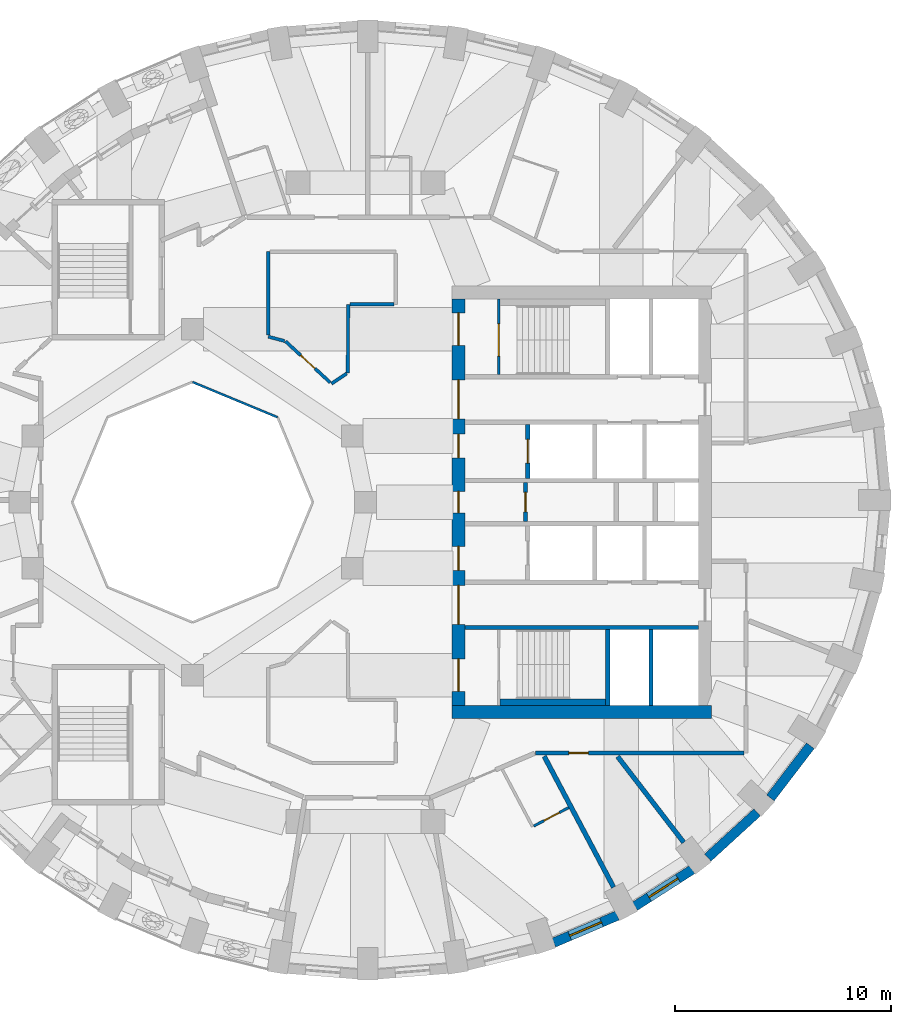
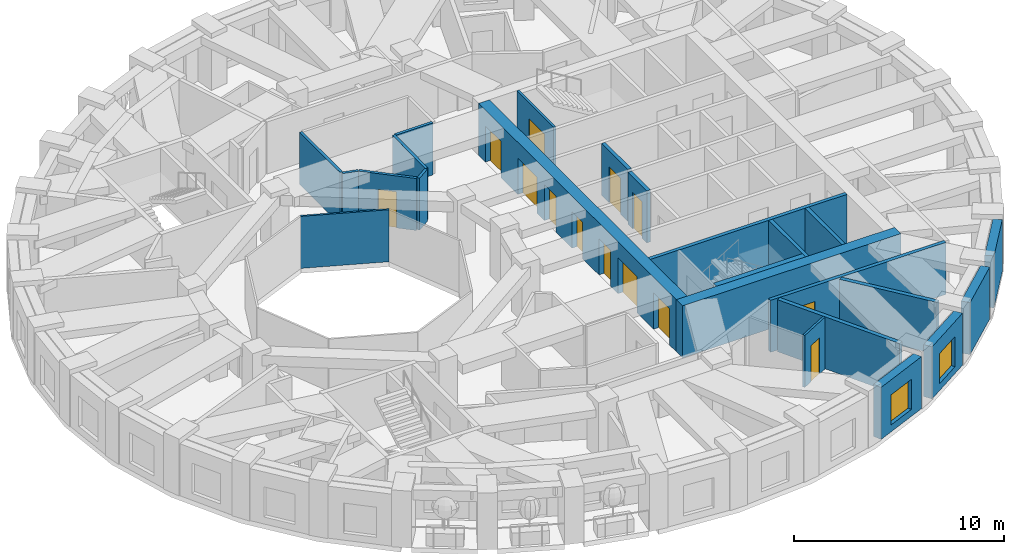
# One storey, part 5 of 12: 24 walls, 13 doors, 2 windows, 15 openings.
"""IFC4 building model written with IfcOpenShell, lengths in metres."""

from ifc_helpers import new_model, si_unit, direction, frame, frame_2d, origin, place, context, subcontext, project, spatial, rectangle, extrude, material, layer, layer_set, type_object, element, fill, save


model = new_model("IFC4")

# Units and contexts
model_context = context("Model", 3, precision=1e-05, world=origin(), true_north=direction((0.0, 1.0)))
body_context = subcontext(model_context, "Body", "Model", "MODEL_VIEW")
ifc_project = project(units=[si_unit("LENGTHUNIT", "METRE"), si_unit("AREAUNIT", "SQUARE_METRE"), si_unit("VOLUMEUNIT", "CUBIC_METRE"), si_unit("PLANEANGLEUNIT", "RADIAN"), si_unit("MASSUNIT", "GRAM", prefix="KILO")], contexts=[model_context])

# Site, building, storey
site_placement = place(None, origin())
site = spatial("IfcSite", under=ifc_project, at=site_placement, CompositionType="ELEMENT")
building_placement = place(site_placement, origin())
building = spatial("IfcBuilding", under=site, at=building_placement, Name="Taillehof Tower", CompositionType="ELEMENT")
storey_placement = place(building_placement, frame((0.0, 0.0, 171.5)))
storey = spatial("IfcBuildingStorey", under=building, at=storey_placement, Name="L48", CompositionType="ELEMENT", Elevation=171.5)

# Wall
ifc_material_1 = material(Name="Fire-resisting glass in steel frame", Category="steel")
ifc_layer_1 = layer(ifc_material_1, 0.10009765625)
ifc_layer_set_1 = layer_set([ifc_layer_1], Name="Atrium fire-resisting screen EI 60 100")
wall_type_1 = type_object("IfcWallType", Name="Atrium fire-resisting screen EI 60 100", PredefinedType="PARTITIONING", material=ifc_layer_set_1)
wall_1_placement = place(storey_placement, frame((-8.0, 5.55419921875, 0.0), z_axis=(0.0, 0.0, 1.0), x_axis=(0.923860025149, -0.382730523909, 0.0)))
element("IfcWall", 1, at=wall_1_placement, inside=storey, type_object=wall_type_1, Name="Atrium screen", PredefinedType="PARTITIONING", context=body_context, shape_type="SweptSolid", body=[
    extrude(rectangle(XDim=4.2509765625, YDim=0.10009765625, at=frame_2d((2.12548828125, 0.0))), origin(), (0.0, 0.0, 1.0), 3.02001953125),
])

# Wall, opening, window
ifc_material_2 = material(Name="Brick masonry", Category="masonry")
ifc_layer_2 = layer(ifc_material_2, 0.449951171875)
ifc_layer_set_2 = layer_set([ifc_layer_2], Name="Brick infill wall 450")
wall_type_2 = type_object("IfcWallType", Name="Brick infill wall 450", PredefinedType="SOLIDWALL", material=ifc_layer_set_2)
wall_2_placement = place(storey_placement, frame((8.706298828125, -20.37451171875, 0.0), z_axis=(0.0, 0.0, 1.0), x_axis=(0.91981046949, 0.392362969986, 0.0)))
wall_2 = element("IfcWall", 2, at=wall_2_placement, inside=storey, type_object=wall_type_2, Name="Brick wall L48 bay 30", PredefinedType="SOLIDWALL", context=body_context, shape_type="SweptSolid", body=[
    extrude(rectangle(XDim=3.20068359375, YDim=0.449951171875, at=frame_2d((1.600341796875, 0.0))), origin(), (0.0, 0.0, 1.0), 3.02001953125),
])
opening_1_placement = place(wall_2_placement, frame((0.80029296875, 0.0, 0.39990234375)))
opening_1 = element("IfcOpeningElement", 3, at=opening_1_placement, cuts=wall_2, Name="Opening W3", PredefinedType="OPENING", context=body_context, shape_type="SweptSolid", body=[
    extrude(rectangle(XDim=1.60009765625, YDim=1.75, at=frame_2d((0.800048828125, 0.875))), frame((0.0, 0.23486328125, 0.0), z_axis=(0.0, -1.0, 0.0), x_axis=(1.0, 0.0, 0.0)), (0.0, 0.0, 1.0), 0.469970703125),
])
ifc_material_3 = material(Name="Aluminium window frame with clear double glazing", Category="aluminium")
window_type = type_object("IfcWindowType", Name="Deep-set window 1600x1750", PartitioningType="SINGLE_PANEL", PredefinedType="WINDOW", material=ifc_material_3)
window_1_placement = place(opening_1_placement, origin())
window_1 = element("IfcWindow", 4, at=window_1_placement, inside=storey, type_object=window_type, Name="W3", OverallHeight=1.75, OverallWidth=1.60009765625, PartitioningType="SINGLE_PANEL", PredefinedType="WINDOW", context=body_context, shape_type="SweptSolid", body=[
    extrude(rectangle(XDim=1.60009765625, YDim=1.75, at=frame_2d((0.800048828125, 0.875))), frame((0.0, 0.034912109375, 0.0), z_axis=(0.0, -1.0, 0.0), x_axis=(1.0, 0.0, 0.0)), (0.0, 0.0, 1.0), 0.06005859375),
])
fill(opening_1, window_1)

wall_3_placement = place(storey_placement, frame((12.454833984375, -18.693115234375, 0.0), z_axis=(0.0, 0.0, 1.0), x_axis=(0.842065914439, 0.539374633943, 0.0)))
wall_3 = element("IfcWall", 5, at=wall_3_placement, inside=storey, type_object=wall_type_2, Name="Brick wall L48 bay 31", PredefinedType="SOLIDWALL", context=body_context, shape_type="SweptSolid", body=[
    extrude(rectangle(XDim=3.1513671875, YDim=0.449951171875, at=frame_2d((1.57568359375, 0.0))), origin(), (0.0, 0.0, 1.0), 3.02001953125),
])
opening_2_placement = place(wall_3_placement, frame((0.775634765625, 0.0, 0.39990234375)))
opening_2 = element("IfcOpeningElement", 6, at=opening_2_placement, cuts=wall_3, Name="Opening W3", PredefinedType="OPENING", context=body_context, shape_type="SweptSolid", body=[
    extrude(rectangle(XDim=1.60009765625, YDim=1.75, at=frame_2d((0.800048828125, 0.875))), frame((0.0, 0.23486328125, 0.0), z_axis=(0.0, -1.0, 0.0), x_axis=(1.0, 0.0, 0.0)), (0.0, 0.0, 1.0), 0.469970703125),
])
window_2_placement = place(opening_2_placement, origin())
window_2 = element("IfcWindow", 7, at=window_2_placement, inside=storey, type_object=window_type, Name="W3", OverallHeight=1.75, OverallWidth=1.60009765625, PartitioningType="SINGLE_PANEL", PredefinedType="WINDOW", context=body_context, shape_type="SweptSolid", body=[
    extrude(rectangle(XDim=1.60009765625, YDim=1.75, at=frame_2d((0.800048828125, 0.875))), frame((0.0, 0.034912109375, 0.0), z_axis=(0.0, -1.0, 0.0), x_axis=(1.0, 0.0, 0.0)), (0.0, 0.0, 1.0), 0.06005859375),
])
fill(opening_2, window_2)

# Walls
wall_4_placement = place(storey_placement, frame((15.830078125, -16.438720703125, 0.0), z_axis=(0.0, 0.0, 1.0), x_axis=(0.737808755941, 0.675009807082, 0.0)))
element("IfcWall", 8, at=wall_4_placement, inside=storey, type_object=wall_type_2, Name="Brick wall L48 bay 32", PredefinedType="SOLIDWALL", context=body_context, shape_type="SweptSolid", body=[
    extrude(rectangle(XDim=3.094482421875, YDim=0.449951171875, at=frame_2d((1.54736328125, 0.0))), origin(), (0.0, 0.0, 1.0), 3.02001953125),
])
wall_5_placement = place(storey_placement, frame((18.72802734375, -13.6787109375, 0.0), z_axis=(0.0, 0.0, 1.0), x_axis=(0.607817056371, 0.794077090706, 0.0)))
element("IfcWall", 9, at=wall_5_placement, inside=storey, type_object=wall_type_2, Name="Brick wall L48 bay 33", PredefinedType="SOLIDWALL", context=body_context, shape_type="SweptSolid", body=[
    extrude(rectangle(XDim=3.037109375, YDim=0.449951171875, at=frame_2d((1.5185546875, 0.0))), origin(), (0.0, 0.0, 1.0), 3.02001953125),
])

# Wall, opening, door
ifc_material_4 = material(Name="Calcium silicate masonry", Category="masonry")
ifc_layer_3 = layer(ifc_material_4, 0.199951171875)
ifc_layer_set_3 = layer_set([ifc_layer_3], Name="Compartment wall calcium silicate 200")
wall_type_3 = type_object("IfcWallType", Name="Compartment wall calcium silicate 200", PredefinedType="PARTITIONING", material=ifc_layer_set_3)
wall_6_placement = place(storey_placement, frame((7.39990234375, -0.89990234375, 0.0), z_axis=(0.0, 0.0, 1.0), x_axis=(0.0, 1.0, 0.0)))
wall_6 = element("IfcWall", 10, at=wall_6_placement, inside=storey, type_object=wall_type_3, Name="Compartment wall FW", PredefinedType="PARTITIONING", context=body_context, shape_type="SweptSolid", body=[
    extrude(rectangle(XDim=1.7998046875, YDim=0.199951171875, at=frame_2d((0.89990234375, 0.0))), origin(), (0.0, 0.0, 1.0), 3.02001953125),
])
opening_3_placement = place(wall_6_placement, frame((0.449951171875, 0.0, 0.0)))
opening_3 = element("IfcOpeningElement", 11, at=opening_3_placement, cuts=wall_6, Name="Opening D4814", PredefinedType="OPENING", context=body_context, shape_type="SweptSolid", body=[
    extrude(rectangle(XDim=0.89990234375, YDim=2.10009765625, at=frame_2d((0.449951171875, 1.050048828125))), frame((0.0, 0.10986328125, 0.0), z_axis=(0.0, -1.0, 0.0), x_axis=(1.0, 0.0, 0.0)), (0.0, 0.0, 1.0), 0.219970703125),
])
ifc_material_5 = material(Name="Steel-faced fire door", Category="steel")
door_type_1 = type_object("IfcDoorType", Name="Riser and service room door 900x2100", OperationType="SINGLE_SWING_LEFT", PredefinedType="DOOR", material=ifc_material_5)
door_1_placement = place(opening_3_placement, origin())
door_1 = element("IfcDoor", 12, at=door_1_placement, inside=storey, type_object=door_type_1, Name="Door Staff Pantry", OperationType="SINGLE_SWING_RIGHT", OverallHeight=2.10009765625, OverallWidth=0.89990234375, PredefinedType="DOOR", context=body_context, shape_type="SweptSolid", body=[
    extrude(rectangle(XDim=0.89990234375, YDim=2.10009765625, at=frame_2d((0.449951171875, 1.050048828125))), frame((0.0, 0.02490234375, 0.0), z_axis=(0.0, -1.0, 0.0), x_axis=(1.0, 0.0, 0.0)), (0.0, 0.0, 1.0), 0.050048828125),
])
fill(opening_3, door_1)

ifc_material_6 = material(Name="Gypsum board on steel studs, two layers each side", Category="steel")
ifc_layer_4 = layer(ifc_material_6, 0.199951171875)
ifc_layer_set_4 = layer_set([ifc_layer_4], Name="Compartment wall corridor 200")
wall_type_4 = type_object("IfcWallType", Name="Compartment wall corridor 200", PredefinedType="PARTITIONING", material=ifc_layer_set_4)
wall_7_placement = place(storey_placement, frame((17.5, -11.60009765625, 0.0), z_axis=(0.0, 0.0, 1.0), x_axis=(-1.0, 0.0, 0.0)))
wall_7 = element("IfcWall", 13, at=wall_7_placement, inside=storey, type_object=wall_type_4, Name="Compartment wall", PredefinedType="PARTITIONING", context=body_context, shape_type="SweptSolid", body=[
    extrude(rectangle(XDim=9.64697265625, YDim=0.199951171875, at=frame_2d((4.823486328125, 0.0))), origin(), (0.0, 0.0, 1.0), 3.02001953125),
])
opening_4_placement = place(wall_7_placement, frame((7.192138671875, 0.0, 0.0)))
opening_4 = element("IfcOpeningElement", 14, at=opening_4_placement, cuts=wall_7, Name="Opening D4856", PredefinedType="OPENING", context=body_context, shape_type="SweptSolid", body=[
    extrude(rectangle(XDim=0.89990234375, YDim=2.10009765625, at=frame_2d((0.449951171875, 1.050048828125))), frame((0.0, 0.10986328125, 0.0), z_axis=(0.0, -1.0, 0.0), x_axis=(1.0, 0.0, 0.0)), (0.0, 0.0, 1.0), 0.219970703125),
])
ifc_material_7 = material(Name="Timber door leaf in steel frame", Category="steel")
door_type_2 = type_object("IfcDoorType", Name="Service room door EI 30 900 x 2100", OperationType="SINGLE_SWING_LEFT", PredefinedType="DOOR", material=ifc_material_7)
door_2_placement = place(opening_4_placement, origin())
door_2 = element("IfcDoor", 15, at=door_2_placement, inside=storey, type_object=door_type_2, Name="D4856", OperationType="SINGLE_SWING_RIGHT", OverallHeight=2.10009765625, OverallWidth=0.89990234375, PredefinedType="DOOR", context=body_context, shape_type="SweptSolid", body=[
    extrude(rectangle(XDim=0.89990234375, YDim=2.10009765625, at=frame_2d((0.449951171875, 1.050048828125))), frame((0.0, 0.02490234375, 0.0), z_axis=(0.0, -1.0, 0.0), x_axis=(1.0, 0.0, 0.0)), (0.0, 0.0, 1.0), 0.050048828125),
])
fill(opening_4, door_2)

# Walls
ifc_material_8 = material(Name="Gypsum board on double steel studs with mineral wool", Category="steel")
ifc_layer_5 = layer(ifc_material_8, 0.219970703125)
ifc_layer_set_5 = layer_set([ifc_layer_5], Name="Compartment wall guest room 220")
wall_type_5 = type_object("IfcWallType", Name="Compartment wall guest room 220", PredefinedType="PARTITIONING", material=ifc_layer_set_5)
wall_8_placement = place(storey_placement, frame((11.473876953125, -17.8134765625, 0.0), z_axis=(0.0, 0.0, 1.0), x_axis=(-0.468051273849, 0.88370130986, 0.0)))
element("IfcWall", 16, at=wall_8_placement, inside=storey, type_object=wall_type_5, Name="Compartment wall", PredefinedType="PARTITIONING", context=body_context, shape_type="SweptSolid", body=[
    extrude(rectangle(XDim=6.858154296875, YDim=0.219970703125, at=frame_2d((3.42919921875, 0.0))), origin(), (0.0, 0.0, 1.0), 3.02001953125),
])
wall_9_placement = place(storey_placement, frame((14.7158203125, -15.7373046875, 0.0), z_axis=(0.0, 0.0, 1.0), x_axis=(-0.609986007715, 0.792412184657, 0.0)))
element("IfcWall", 17, at=wall_9_placement, inside=storey, type_object=wall_type_5, Name="Compartment wall", PredefinedType="PARTITIONING", context=body_context, shape_type="SweptSolid", body=[
    extrude(rectangle(XDim=5.0146484375, YDim=0.219970703125, at=frame_2d((2.50732421875, 0.0))), origin(), (0.0, 0.0, 1.0), 3.02001953125),
])
ifc_material_9 = material(Name="Calcium silicate masonry", Category="masonry")
ifc_layer_6 = layer(ifc_material_9, 0.300048828125)
ifc_layer_set_6 = layer_set([ifc_layer_6], Name="Compartment wall lining calcium silicate 300")
wall_type_6 = type_object("IfcWallType", Name="Compartment wall lining calcium silicate 300", PredefinedType="PARTITIONING", material=ifc_layer_set_6)
wall_10_placement = place(storey_placement, frame((6.219970703125, -9.25, 0.0), z_axis=(0.0, 0.0, 1.0), x_axis=(1.0, 0.0, 0.0)))
element("IfcWall", 18, at=wall_10_placement, inside=storey, type_object=wall_type_6, Name="Compartment wall FW", PredefinedType="PARTITIONING", context=body_context, shape_type="SweptSolid", body=[
    extrude(rectangle(XDim=4.880126953125, YDim=0.300048828125, at=frame_2d((2.43994140625, 0.0))), origin(), (0.0, 0.0, 1.0), 3.02001953125),
])
ifc_material_10 = material(Name="Gypsum board on steel studs, two layers each side", Category="steel")
ifc_layer_7 = layer(ifc_material_10, 0.14990234375)
ifc_layer_set_7 = layer_set([ifc_layer_7], Name="Compartment wall service room 150")
wall_type_7 = type_object("IfcWallType", Name="Compartment wall service room 150", PredefinedType="PARTITIONING", material=ifc_layer_set_7)
wall_11_placement = place(storey_placement, frame((-0.800048828125, 9.14990234375, 0.0), z_axis=(0.0, 0.0, 1.0), x_axis=(-0.007013855529, -0.999975402613, 0.0)))
element("IfcWall", 19, at=wall_11_placement, inside=storey, type_object=wall_type_7, Name="Compartment wall", PredefinedType="PARTITIONING", context=body_context, shape_type="SweptSolid", body=[
    extrude(rectangle(XDim=3.16748046875, YDim=0.14990234375, at=frame_2d((1.583740234375, 0.0))), origin(), (0.0, 0.0, 1.0), 3.02001953125),
])
wall_12_placement = place(storey_placement, frame((-0.8720703125, 5.94873046875, 0.0), z_axis=(0.0, 0.0, 1.0), x_axis=(-0.831694574928, -0.555233405006, 0.0)))
element("IfcWall", 20, at=wall_12_placement, inside=storey, type_object=wall_type_7, Name="Compartment wall", PredefinedType="PARTITIONING", context=body_context, shape_type="SweptSolid", body=[
    extrude(rectangle(XDim=0.84521484375, YDim=0.14990234375, at=frame_2d((0.422607421875, 0.0))), origin(), (0.0, 0.0, 1.0), 3.02001953125),
])

# Wall, opening, door
wall_13_placement = place(storey_placement, frame((-1.633544921875, 5.5341796875, 0.0), z_axis=(0.0, 0.0, 1.0), x_axis=(-0.735398368623, 0.67763503409, 0.0)))
wall_13 = element("IfcWall", 21, at=wall_13_placement, inside=storey, type_object=wall_type_7, Name="Compartment wall", PredefinedType="PARTITIONING", context=body_context, shape_type="SweptSolid", body=[
    extrude(rectangle(XDim=2.81494140625, YDim=0.14990234375, at=frame_2d((1.407470703125, 0.0))), origin(), (0.0, 0.0, 1.0), 3.02001953125),
])
opening_5_placement = place(wall_13_placement, frame((0.95751953125, 0.0, 0.0)))
opening_5 = element("IfcOpeningElement", 22, at=opening_5_placement, cuts=wall_13, Name="Opening D4860", PredefinedType="OPENING", context=body_context, shape_type="SweptSolid", body=[
    extrude(rectangle(XDim=0.89990234375, YDim=2.10009765625, at=frame_2d((0.449951171875, 1.050048828125))), frame((0.0, 0.0849609375, 0.0), z_axis=(0.0, -1.0, 0.0), x_axis=(1.0, 0.0, 0.0)), (0.0, 0.0, 1.0), 0.169921875),
])
door_3_placement = place(opening_5_placement, origin())
door_3 = element("IfcDoor", 23, at=door_3_placement, inside=storey, type_object=door_type_2, Name="D4860", OperationType="SINGLE_SWING_RIGHT", OverallHeight=2.10009765625, OverallWidth=0.89990234375, PredefinedType="DOOR", context=body_context, shape_type="SweptSolid", body=[
    extrude(rectangle(XDim=0.89990234375, YDim=2.10009765625, at=frame_2d((0.449951171875, 1.050048828125))), frame((0.0, 0.02490234375, 0.0), z_axis=(0.0, -1.0, 0.0), x_axis=(1.0, 0.0, 0.0)), (0.0, 0.0, 1.0), 0.050048828125),
])
fill(opening_5, door_3)

# Walls
wall_14_placement = place(storey_placement, frame((-3.7421875, 7.451904296875, 0.0), z_axis=(0.0, 0.0, 1.0), x_axis=(-0.965903596155, 0.258901994846, 0.0)))
element("IfcWall", 24, at=wall_14_placement, inside=storey, type_object=wall_type_7, Name="Compartment wall", PredefinedType="PARTITIONING", context=body_context, shape_type="SweptSolid", body=[
    extrude(rectangle(XDim=0.78466796875, YDim=0.14990234375, at=frame_2d((0.392333984375, 0.0))), origin(), (0.0, 0.0, 1.0), 3.02001953125),
])
wall_15_placement = place(storey_placement, frame((-4.5, 7.735107421875, 0.0), z_axis=(0.0, 0.0, 1.0), x_axis=(0.0, 1.0, 0.0)))
element("IfcWall", 25, at=wall_15_placement, inside=storey, type_object=wall_type_7, Name="Compartment wall", PredefinedType="PARTITIONING", context=body_context, shape_type="SweptSolid", body=[
    extrude(rectangle(XDim=3.84814453125, YDim=0.14990234375, at=frame_2d((1.924072265625, 0.0))), origin(), (0.0, 0.0, 1.0), 3.02001953125),
])
wall_16_placement = place(storey_placement, frame((1.31982421875, 9.14990234375, 0.0), z_axis=(0.0, 0.0, 1.0), x_axis=(-1.0, 0.0, 0.0)))
element("IfcWall", 26, at=wall_16_placement, inside=storey, type_object=wall_type_7, Name="Compartment wall", PredefinedType="PARTITIONING", context=body_context, shape_type="SweptSolid", body=[
    extrude(rectangle(XDim=2.039794921875, YDim=0.14990234375, at=frame_2d((1.02001953125, 0.0))), origin(), (0.0, 0.0, 1.0), 3.02001953125),
])

# Wall, openings, doors
ifc_material_11 = material(Name="Concrete C80/95", Category="concrete")
ifc_layer_8 = layer(ifc_material_11, 0.60009765625)
ifc_layer_set_8 = layer_set([ifc_layer_8], Name="Core wall C80/95 600")
wall_type_8 = type_object("IfcWallType", Name="Core wall C80/95 600", PredefinedType="SHEAR", material=ifc_layer_set_8)
wall_17_placement = place(storey_placement, frame((4.300048828125, -9.39990234375, 0.0), z_axis=(0.0, 0.0, 1.0), x_axis=(0.0, 1.0, 0.0)))
wall_17 = element("IfcWall", 27, at=wall_17_placement, inside=storey, type_object=wall_type_8, Name="Core wall CW01", PredefinedType="SHEAR", context=body_context, shape_type="SweptSolid", body=[
    extrude(rectangle(XDim=18.7998046875, YDim=0.60009765625, at=frame_2d((9.39990234375, 0.0))), origin(), (0.0, 0.0, 1.0), 3.02001953125),
])
opening_6_placement = place(wall_17_placement, frame((0.64990234375, 0.0, 0.0)))
opening_6 = element("IfcOpeningElement", 28, at=opening_6_placement, cuts=wall_17, Name="Opening D4801", PredefinedType="OPENING", context=body_context, shape_type="SweptSolid", body=[
    extrude(rectangle(XDim=1.5, YDim=2.10009765625, at=frame_2d((0.75, 1.050048828125))), frame((0.0, 0.31005859375, 0.0), z_axis=(0.0, -1.0, 0.0), x_axis=(1.0, 0.0, 0.0)), (0.0, 0.0, 1.0), 0.6201171875),
])
opening_7_placement = place(wall_17_placement, frame((3.75, 0.0, 0.0)))
opening_7 = element("IfcOpeningElement", 29, at=opening_7_placement, cuts=wall_17, Name="Opening D4802", PredefinedType="OPENING", context=body_context, shape_type="SweptSolid", body=[
    extrude(rectangle(XDim=1.800048828125, YDim=2.10009765625, at=frame_2d((0.89990234375, 1.050048828125))), frame((0.0, 0.31005859375, 0.0), z_axis=(0.0, -1.0, 0.0), x_axis=(1.0, 0.0, 0.0)), (0.0, 0.0, 1.0), 0.6201171875),
])
opening_8_placement = place(wall_17_placement, frame((6.25, 0.0, 0.0)))
opening_8 = element("IfcOpeningElement", 30, at=opening_8_placement, cuts=wall_17, Name="Opening D4803", PredefinedType="OPENING", context=body_context, shape_type="SweptSolid", body=[
    extrude(rectangle(XDim=1.10009765625, YDim=2.10009765625, at=frame_2d((0.550048828125, 1.050048828125))), frame((0.0, 0.31005859375, 0.0), z_axis=(0.0, -1.0, 0.0), x_axis=(1.0, 0.0, 0.0)), (0.0, 0.0, 1.0), 0.6201171875),
])
opening_9_placement = place(wall_17_placement, frame((8.89990234375, 0.0, 0.0)))
opening_9 = element("IfcOpeningElement", 31, at=opening_9_placement, cuts=wall_17, Name="Opening D4804", PredefinedType="OPENING", context=body_context, shape_type="SweptSolid", body=[
    extrude(rectangle(XDim=1.0, YDim=2.10009765625, at=frame_2d((0.5, 1.050048828125))), frame((0.0, 0.31005859375, 0.0), z_axis=(0.0, -1.0, 0.0), x_axis=(1.0, 0.0, 0.0)), (0.0, 0.0, 1.0), 0.6201171875),
])
opening_10_placement = place(wall_17_placement, frame((11.449951171875, 0.0, 0.0)))
opening_10 = element("IfcOpeningElement", 32, at=opening_10_placement, cuts=wall_17, Name="Opening D4805", PredefinedType="OPENING", context=body_context, shape_type="SweptSolid", body=[
    extrude(rectangle(XDim=1.10009765625, YDim=2.10009765625, at=frame_2d((0.550048828125, 1.050048828125))), frame((0.0, 0.31005859375, 0.0), z_axis=(0.0, -1.0, 0.0), x_axis=(1.0, 0.0, 0.0)), (0.0, 0.0, 1.0), 0.6201171875),
])
opening_11_placement = place(wall_17_placement, frame((13.25, 0.0, 0.0)))
opening_11 = element("IfcOpeningElement", 33, at=opening_11_placement, cuts=wall_17, Name="Opening D4806", PredefinedType="OPENING", context=body_context, shape_type="SweptSolid", body=[
    extrude(rectangle(XDim=1.800048828125, YDim=2.10009765625, at=frame_2d((0.89990234375, 1.050048828125))), frame((0.0, 0.31005859375, 0.0), z_axis=(0.0, -1.0, 0.0), x_axis=(1.0, 0.0, 0.0)), (0.0, 0.0, 1.0), 0.6201171875),
])
opening_12_placement = place(wall_17_placement, frame((16.64990234375, 0.0, 0.0)))
opening_12 = element("IfcOpeningElement", 34, at=opening_12_placement, cuts=wall_17, Name="Opening D4807", PredefinedType="OPENING", context=body_context, shape_type="SweptSolid", body=[
    extrude(rectangle(XDim=1.5, YDim=2.10009765625, at=frame_2d((0.75, 1.050048828125))), frame((0.0, 0.31005859375, 0.0), z_axis=(0.0, -1.0, 0.0), x_axis=(1.0, 0.0, 0.0)), (0.0, 0.0, 1.0), 0.6201171875),
])
ifc_material_12 = material(Name="Steel-faced fire door", Category="steel")
door_type_3 = type_object("IfcDoorType", Name="Firefighting lobby door 1100x2100", OperationType="SINGLE_SWING_RIGHT", PredefinedType="DOOR", material=ifc_material_12)
door_4_placement = place(opening_8_placement, origin())
door_4 = element("IfcDoor", 35, at=door_4_placement, inside=storey, type_object=door_type_3, Name="Firefighting lobby door FFL-S", OperationType="SINGLE_SWING_RIGHT", OverallHeight=2.10009765625, OverallWidth=1.10009765625, PredefinedType="DOOR", context=body_context, shape_type="SweptSolid", body=[
    extrude(rectangle(XDim=1.10009765625, YDim=2.10009765625, at=frame_2d((0.550048828125, 1.050048828125))), frame((0.0, 0.02490234375, 0.0), z_axis=(0.0, -1.0, 0.0), x_axis=(1.0, 0.0, 0.0)), (0.0, 0.0, 1.0), 0.050048828125),
])
fill(opening_8, door_4)
door_5_placement = place(opening_10_placement, origin())
door_5 = element("IfcDoor", 36, at=door_5_placement, inside=storey, type_object=door_type_3, Name="Firefighting lobby door FFL-N", OperationType="SINGLE_SWING_LEFT", OverallHeight=2.10009765625, OverallWidth=1.10009765625, PredefinedType="DOOR", context=body_context, shape_type="SweptSolid", body=[
    extrude(rectangle(XDim=1.10009765625, YDim=2.10009765625, at=frame_2d((0.550048828125, 1.050048828125))), frame((0.0, 0.02490234375, 0.0), z_axis=(0.0, -1.0, 0.0), x_axis=(1.0, 0.0, 0.0)), (0.0, 0.0, 1.0), 0.050048828125),
])
fill(opening_10, door_5)
ifc_material_13 = material(Name="Steel-faced fire door", Category="steel")
door_type_4 = type_object("IfcDoorType", Name="Lift lobby door 1800x2100", OperationType="DOUBLE_DOOR_SINGLE_SWING", PredefinedType="DOOR", material=ifc_material_13)
door_6_placement = place(opening_7_placement, origin())
door_6 = element("IfcDoor", 37, at=door_6_placement, inside=storey, type_object=door_type_4, Name="Lift lobby door LL-S", OperationType="DOUBLE_DOOR_SINGLE_SWING", OverallHeight=2.10009765625, OverallWidth=1.800048828125, PredefinedType="DOOR", context=body_context, shape_type="SweptSolid", body=[
    extrude(rectangle(XDim=1.800048828125, YDim=2.10009765625, at=frame_2d((0.89990234375, 1.050048828125))), frame((0.0, 0.02490234375, 0.0), z_axis=(0.0, -1.0, 0.0), x_axis=(1.0, 0.0, 0.0)), (0.0, 0.0, 1.0), 0.050048828125),
])
fill(opening_7, door_6)
door_7_placement = place(opening_11_placement, origin())
door_7 = element("IfcDoor", 38, at=door_7_placement, inside=storey, type_object=door_type_4, Name="Lift lobby door LL-N", OperationType="DOUBLE_DOOR_SINGLE_SWING", OverallHeight=2.10009765625, OverallWidth=1.800048828125, PredefinedType="DOOR", context=body_context, shape_type="SweptSolid", body=[
    extrude(rectangle(XDim=1.800048828125, YDim=2.10009765625, at=frame_2d((0.89990234375, 1.050048828125))), frame((0.0, 0.02490234375, 0.0), z_axis=(0.0, -1.0, 0.0), x_axis=(1.0, 0.0, 0.0)), (0.0, 0.0, 1.0), 0.050048828125),
])
fill(opening_11, door_7)
ifc_material_14 = material(Name="Steel-faced fire door", Category="steel")
door_type_5 = type_object("IfcDoorType", Name="Service door 1000x2100", OperationType="SINGLE_SWING_RIGHT", PredefinedType="DOOR", material=ifc_material_14)
door_8_placement = place(opening_9_placement, origin())
door_8 = element("IfcDoor", 39, at=door_8_placement, inside=storey, type_object=door_type_5, Name="Service door SV", OperationType="SINGLE_SWING_LEFT", OverallHeight=2.10009765625, OverallWidth=1.0, PredefinedType="DOOR", context=body_context, shape_type="SweptSolid", body=[
    extrude(rectangle(XDim=1.0, YDim=2.10009765625, at=frame_2d((0.5, 1.050048828125))), frame((0.0, 0.02490234375, 0.0), z_axis=(0.0, -1.0, 0.0), x_axis=(1.0, 0.0, 0.0)), (0.0, 0.0, 1.0), 0.050048828125),
])
fill(opening_9, door_8)
ifc_material_15 = material(Name="Steel-faced fire door", Category="steel")
door_type_6 = type_object("IfcDoorType", Name="Stair door 1500x2100", OperationType="DOUBLE_DOOR_SINGLE_SWING", PredefinedType="DOOR", material=ifc_material_15)
door_9_placement = place(opening_6_placement, origin())
door_9 = element("IfcDoor", 40, at=door_9_placement, inside=storey, type_object=door_type_6, Name="Stair door S2", OperationType="DOUBLE_DOOR_SINGLE_SWING", OverallHeight=2.10009765625, OverallWidth=1.5, PredefinedType="DOOR", context=body_context, shape_type="SweptSolid", body=[
    extrude(rectangle(XDim=1.5, YDim=2.10009765625, at=frame_2d((0.75, 1.050048828125))), frame((0.0, 0.02490234375, 0.0), z_axis=(0.0, -1.0, 0.0), x_axis=(1.0, 0.0, 0.0)), (0.0, 0.0, 1.0), 0.050048828125),
])
fill(opening_6, door_9)
door_10_placement = place(opening_12_placement, origin())
door_10 = element("IfcDoor", 41, at=door_10_placement, inside=storey, type_object=door_type_6, Name="Stair door S1", OperationType="DOUBLE_DOOR_SINGLE_SWING", OverallHeight=2.10009765625, OverallWidth=1.5, PredefinedType="DOOR", context=body_context, shape_type="SweptSolid", body=[
    extrude(rectangle(XDim=1.5, YDim=2.10009765625, at=frame_2d((0.75, 1.050048828125))), frame((0.0, 0.02490234375, 0.0), z_axis=(0.0, -1.0, 0.0), x_axis=(1.0, 0.0, 0.0)), (0.0, 0.0, 1.0), 0.050048828125),
])
fill(opening_12, door_10)

# Wall
wall_18_placement = place(storey_placement, frame((4.0, -9.699951171875, 0.0), z_axis=(0.0, 0.0, 1.0), x_axis=(1.0, 0.0, 0.0)))
element("IfcWall", 42, at=wall_18_placement, inside=storey, type_object=wall_type_8, Name="Core wall CW07", PredefinedType="SHEAR", context=body_context, shape_type="SweptSolid", body=[
    extrude(rectangle(XDim=12.0, YDim=0.60009765625, at=frame_2d((6.0, 0.0))), origin(), (0.0, 0.0, 1.0), 3.02001953125),
])

# Wall, opening, door
ifc_material_16 = material(Name="Gypsum board on steel studs, moisture resistant", Category="steel")
ifc_layer_9 = layer(ifc_material_16, 0.1201171875)
ifc_layer_set_9 = layer_set([ifc_layer_9], Name="En-suite wall 120")
wall_type_9 = type_object("IfcWallType", Name="En-suite wall 120", PredefinedType="PARTITIONING", material=ifc_layer_set_9)
wall_19_placement = place(storey_placement, frame((7.779052734375, -14.982666015625, 0.0), z_axis=(0.0, 0.0, 1.0), x_axis=(0.883697051485, 0.46805931376, 0.0)))
wall_19 = element("IfcWall", 43, at=wall_19_placement, inside=storey, type_object=wall_type_9, Name="En-suite wall", PredefinedType="PARTITIONING", context=body_context, shape_type="SweptSolid", body=[
    extrude(rectangle(XDim=1.830322265625, YDim=0.1201171875, at=frame_2d((0.9150390625, 0.0))), origin(), (0.0, 0.0, 1.0), 3.02001953125),
])
opening_13_placement = place(wall_19_placement, frame((0.540283203125, 0.0, 0.0)))
opening_13 = element("IfcOpeningElement", 44, at=opening_13_placement, cuts=wall_19, Name="Opening D4855", PredefinedType="OPENING", context=body_context, shape_type="SweptSolid", body=[
    extrude(rectangle(XDim=0.800048828125, YDim=2.10009765625, at=frame_2d((0.39990234375, 1.050048828125))), frame((0.0, 0.070068359375, 0.0), z_axis=(0.0, -1.0, 0.0), x_axis=(1.0, 0.0, 0.0)), (0.0, 0.0, 1.0), 0.14013671875),
])
ifc_material_17 = material(Name="Timber door leaf in steel frame", Category="steel")
door_type_7 = type_object("IfcDoorType", Name="En-suite door 800 x 2100", OperationType="SINGLE_SWING_LEFT", PredefinedType="DOOR", material=ifc_material_17)
door_11_placement = place(opening_13_placement, origin())
door_11 = element("IfcDoor", 45, at=door_11_placement, inside=storey, type_object=door_type_7, Name="D4855", OperationType="SINGLE_SWING_LEFT", OverallHeight=2.10009765625, OverallWidth=0.800048828125, PredefinedType="DOOR", context=body_context, shape_type="SweptSolid", body=[
    extrude(rectangle(XDim=0.800048828125, YDim=2.10009765625, at=frame_2d((0.39990234375, 1.050048828125))), frame((0.0, 0.02490234375, 0.0), z_axis=(0.0, -1.0, 0.0), x_axis=(1.0, 0.0, 0.0)), (0.0, 0.0, 1.0), 0.050048828125),
])
fill(opening_13, door_11)

# Walls
ifc_material_18 = material(Name="Concrete C50/60", Category="concrete")
ifc_layer_10 = layer(ifc_material_18, 0.199951171875)
ifc_layer_set_10 = layer_set([ifc_layer_10], Name="Shaft wall C50/60 200")
wall_type_10 = type_object("IfcWallType", Name="Shaft wall C50/60 200", PredefinedType="SHEAR", material=ifc_layer_set_10)
wall_20_placement = place(storey_placement, frame((4.60009765625, -5.800048828125, 0.0), z_axis=(0.0, 0.0, 1.0), x_axis=(1.0, 0.0, 0.0)))
element("IfcWall", 46, at=wall_20_placement, inside=storey, type_object=wall_type_10, Name="Shaft wall SW", PredefinedType="SHEAR", context=body_context, shape_type="SweptSolid", body=[
    extrude(rectangle(XDim=10.7998046875, YDim=0.199951171875, at=frame_2d((5.39990234375, 0.0))), origin(), (0.0, 0.0, 1.0), 3.02001953125),
])
for number, where, z_axis, x_axis, name in (
    (47, (11.199951171875, -9.39990234375, 0.0), (0.0, 0.0, 1.0), (0.0, 1.0, 0.0), "Shaft wall SW"),
    (48, (13.199951171875, -9.39990234375, 0.0), (0.0, 0.0, 1.0), (0.0, 1.0, 0.0), "Shaft wall SW"),
):
    element("IfcWall", number, at=place(storey_placement, frame(where, z_axis=z_axis, x_axis=x_axis)), inside=storey, type_object=wall_type_10, Name=name, PredefinedType="SHEAR", context=body_context, shape_type="SweptSolid", body=[
        extrude(rectangle(XDim=3.5, YDim=0.199951171875, at=frame_2d((1.75, 0.0))), origin(), (0.0, 0.0, 1.0), 3.02001953125),
    ])

# Wall, opening, door
wall_21_placement = place(storey_placement, frame((7.5, 1.10009765625, 0.0), z_axis=(0.0, 0.0, 1.0), x_axis=(0.0, 1.0, 0.0)))
wall_21 = element("IfcWall", 49, at=wall_21_placement, inside=storey, type_object=wall_type_10, Name="Shaft wall SW", PredefinedType="SHEAR", context=body_context, shape_type="SweptSolid", body=[
    extrude(rectangle(XDim=2.5, YDim=0.199951171875, at=frame_2d((1.25, 0.0))), origin(), (0.0, 0.0, 1.0), 3.02001953125),
])
opening_14_placement = place(wall_21_placement, frame((0.699951171875, 0.0, 0.0)))
opening_14 = element("IfcOpeningElement", 50, at=opening_14_placement, cuts=wall_21, Name="Opening LD1", PredefinedType="OPENING", context=body_context, shape_type="SweptSolid", body=[
    extrude(rectangle(XDim=1.10009765625, YDim=2.10009765625, at=frame_2d((0.550048828125, 1.050048828125))), frame((0.0, 0.10986328125, 0.0), z_axis=(0.0, -1.0, 0.0), x_axis=(1.0, 0.0, 0.0)), (0.0, 0.0, 1.0), 0.219970703125),
])
ifc_material_19 = material(Name="Stainless steel", Category="steel")
door_type_8 = type_object("IfcDoorType", Name="Lift landing door LD1 1100x2100", OperationType="DOUBLE_DOOR_SLIDING", PredefinedType="DOOR", material=ifc_material_19)
door_12_placement = place(opening_14_placement, origin())
door_12 = element("IfcDoor", 51, at=door_12_placement, inside=storey, type_object=door_type_8, Name="Landing door FF1", OperationType="DOUBLE_DOOR_SLIDING", OverallHeight=2.10009765625, OverallWidth=1.10009765625, PredefinedType="DOOR", context=body_context, shape_type="SweptSolid", body=[
    extrude(rectangle(XDim=1.10009765625, YDim=2.10009765625, at=frame_2d((0.550048828125, 1.050048828125))), frame((0.0, 0.02490234375, 0.0), z_axis=(0.0, -1.0, 0.0), x_axis=(1.0, 0.0, 0.0)), (0.0, 0.0, 1.0), 0.050048828125),
])
fill(opening_14, door_12)

ifc_material_20 = material(Name="Concrete C50/60", Category="concrete")
ifc_layer_11 = layer(ifc_material_20, 0.1201171875)
ifc_layer_set_11 = layer_set([ifc_layer_11], Name="Stair lobby wall C50/60 120")
wall_type_11 = type_object("IfcWallType", Name="Stair lobby wall C50/60 120", PredefinedType="SHEAR", material=ifc_layer_set_11)
wall_22_placement = place(storey_placement, frame((6.159912109375, 5.89990234375, 0.0), z_axis=(0.0, 0.0, 1.0), x_axis=(0.0, 1.0, 0.0)))
wall_22 = element("IfcWall", 52, at=wall_22_placement, inside=storey, type_object=wall_type_11, Name="Compartment wall SW", PredefinedType="SHEAR", context=body_context, shape_type="SweptSolid", body=[
    extrude(rectangle(XDim=3.5, YDim=0.1201171875, at=frame_2d((1.75, 0.0))), origin(), (0.0, 0.0, 1.0), 3.02001953125),
])
opening_15_placement = place(wall_22_placement, frame((0.85009765625, 0.0, 0.0)))
opening_15 = element("IfcOpeningElement", 53, at=opening_15_placement, cuts=wall_22, Name="Opening D4810", PredefinedType="OPENING", context=body_context, shape_type="SweptSolid", body=[
    extrude(rectangle(XDim=1.5, YDim=2.10009765625, at=frame_2d((0.75, 1.050048828125))), frame((0.0, 0.070068359375, 0.0), z_axis=(0.0, -1.0, 0.0), x_axis=(1.0, 0.0, 0.0)), (0.0, 0.0, 1.0), 0.14013671875),
])
door_13_placement = place(opening_15_placement, origin())
door_13 = element("IfcDoor", 54, at=door_13_placement, inside=storey, type_object=door_type_6, Name="Stair lobby door S1", OperationType="DOUBLE_DOOR_SINGLE_SWING", OverallHeight=2.10009765625, OverallWidth=1.5, PredefinedType="DOOR", context=body_context, shape_type="SweptSolid", body=[
    extrude(rectangle(XDim=1.5, YDim=2.10009765625, at=frame_2d((0.75, 1.050048828125))), frame((0.0, 0.02490234375, 0.0), z_axis=(0.0, -1.0, 0.0), x_axis=(1.0, 0.0, 0.0)), (0.0, 0.0, 1.0), 0.050048828125),
])
fill(opening_15, door_13)

save(model, "model.ifc")
